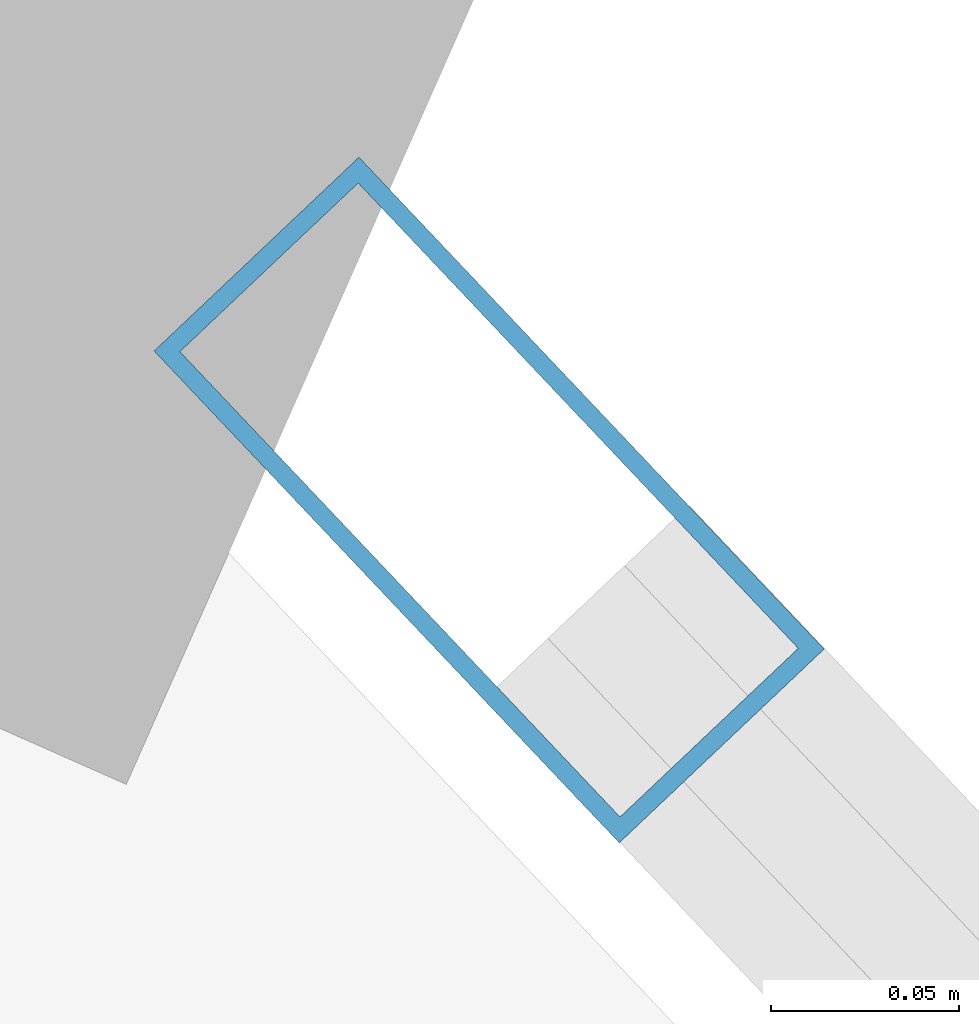
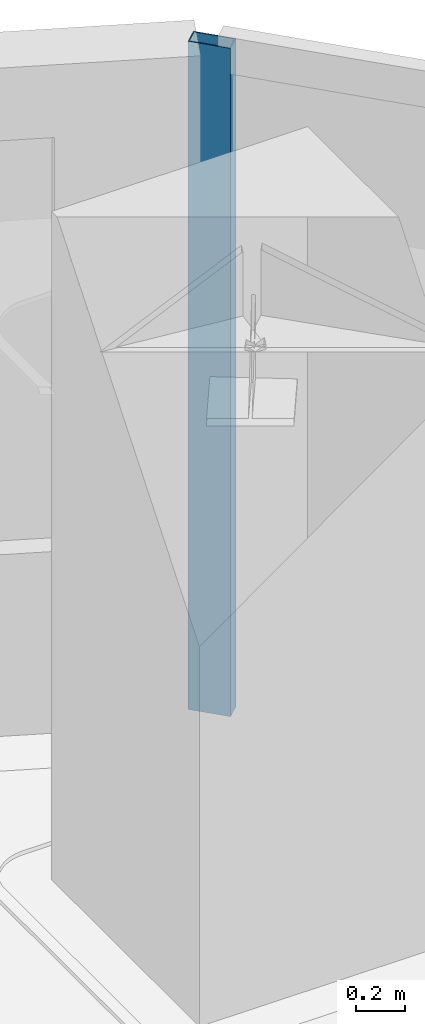
# One storey, part 16 of 23: 1 member, 1 element without a shape of its own.
"""IFC4 building model written with IfcOpenShell, lengths in metres."""

from ifc_helpers import new_model, si_unit, direction, frame, origin, origin_2d, place, context, subcontext, project, spatial, hollow_rectangle, extrude, source, transform, mapped, material, layer, layer_set, material_profile, profile_set, type_object, type_shapes, element, aggregate, save


model = new_model("IFC4")

# Units and contexts
model_context = context("Model", 3, precision=1e-05, world=origin(), true_north=direction((0.0, 1.0)))
body_context = subcontext(model_context, "Body", "Model", "MODEL_VIEW")
ifc_project = project(units=[si_unit("LENGTHUNIT", "METRE"), si_unit("AREAUNIT", "SQUARE_METRE"), si_unit("VOLUMEUNIT", "CUBIC_METRE"), si_unit("PLANEANGLEUNIT", "RADIAN"), si_unit("MASSUNIT", "GRAM", prefix="KILO")], contexts=[model_context])

# Site, building, storey
site_placement = place(None, origin())
site = spatial("IfcSite", under=ifc_project, at=site_placement, CompositionType="ELEMENT")
building_placement = place(site_placement, origin())
building = spatial("IfcBuilding", under=site, at=building_placement, Name="Talar Marvaseh", CompositionType="ELEMENT")
storey_placement = place(building_placement, frame((0.0, 0.0, 96.60009765625)))
storey = spatial("IfcBuildingStorey", under=building, at=storey_placement, Name="L24", CompositionType="ELEMENT", Elevation=96.60009765625)

# Curtain wall, member
ifc_material = material(Name="Architectural Aluminium", Category="aluminium")
ifc_layer = layer(ifc_material, 0.199951171875)
ifc_layer_set = layer_set([ifc_layer], Name="Architectural Aluminium")
curtain_wall_type = type_object("IfcCurtainWallType", Name="Unitised Acoustic Library Curtain Wall Z2", PredefinedType="NOTDEFINED", material=ifc_layer_set)
curtain_wall_placement = place(storey_placement, origin())
curtain_wall = element("IfcCurtainWall", 1, at=curtain_wall_placement, inside=storey, type_object=curtain_wall_type, Name="L24 Unitised Acoustic Library Curtain Wall Z2", PredefinedType="NOTDEFINED")
ifc_material_profile = material_profile(ifc_material, hollow_rectangle(XDim=0.074951171875, YDim=0.179931640625, WallThickness=0.0048828125, at=origin_2d()), Name="RHS180x75x5")
ifc_profile_set = profile_set([ifc_material_profile], Name="Architectural Aluminium")
member_type = type_object("IfcMemberType", Name="Unitised Curtain Wall Standard Mullion RHS180x75x5", PredefinedType="MULLION", material=ifc_profile_set)
shared_shape = source(origin(), body_context, "Body", "SweptSolid", [
    extrude(hollow_rectangle(XDim=0.074951171875, YDim=0.179931640625, WallThickness=0.0048828125, at=origin_2d()), origin(), (0.0, 0.0, 1.0), 3.309814453125),
])
type_shapes(member_type, [shared_shape])
member_placement = place(storey_placement, frame((37.436767578125, 43.796875, 0.0), z_axis=(0.0, 0.0, 1.0), x_axis=(0.726521306545, 0.687143937714, 0.0)))
member = element("IfcMember", 2, at=member_placement, type_object=member_type, Name="CW-Z2 mullion 1", PredefinedType="MULLION", context=body_context, shape_type="MappedRepresentation", body=[
    mapped(shared_shape, transform((0.0, 0.0, 0.0), x_axis=(1.0, 0.0, 0.0), y_axis=(0.0, 1.0, 0.0), z_axis=(0.0, 0.0, 1.0), scale=1.0)),
])
aggregate(curtain_wall, [member])

save(model, "model.ifc")
